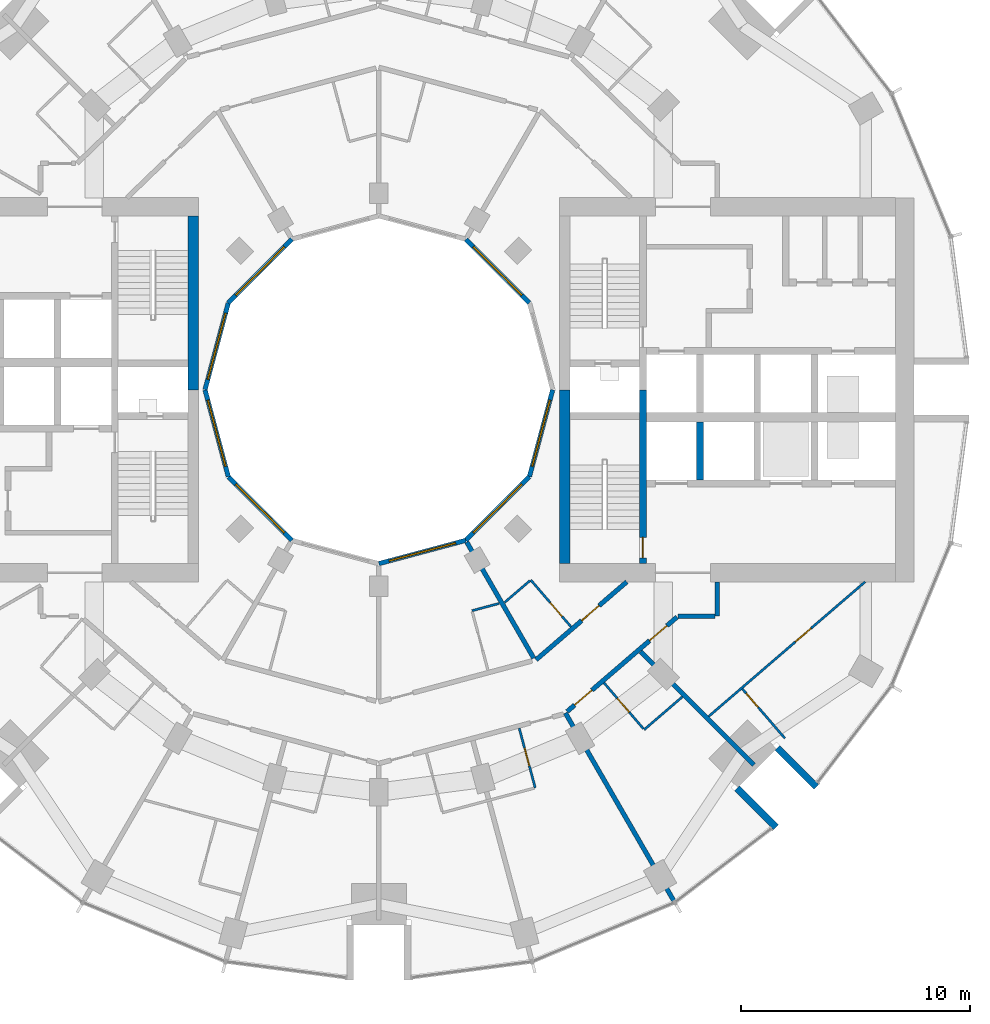
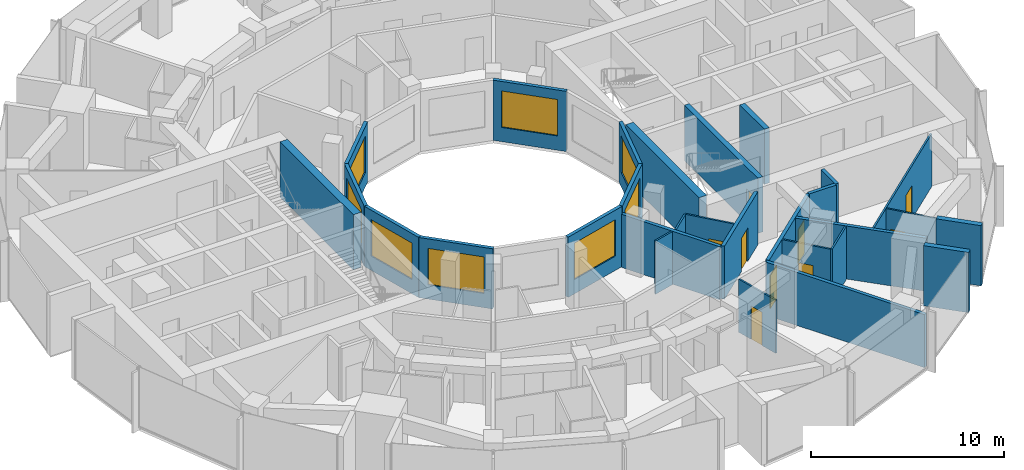
# One storey, part 10 of 15: 29 walls, 9 doors, 8 windows, 17 openings.
"""IFC4 building model written with IfcOpenShell, lengths in metres."""

from ifc_helpers import new_model, si_unit, direction, frame, frame_2d, origin, place, context, subcontext, project, spatial, rectangle, extrude, material, layer, layer_set, type_object, element, fill, save


model = new_model("IFC4")

# Units and contexts
model_context = context("Model", 3, precision=1e-05, world=origin(), true_north=direction((0.0, 1.0)))
body_context = subcontext(model_context, "Body", "Model", "MODEL_VIEW")
ifc_project = project(units=[si_unit("LENGTHUNIT", "METRE"), si_unit("AREAUNIT", "SQUARE_METRE"), si_unit("VOLUMEUNIT", "CUBIC_METRE"), si_unit("PLANEANGLEUNIT", "RADIAN"), si_unit("MASSUNIT", "GRAM", prefix="KILO")], contexts=[model_context])

# Site, building, storey
site_placement = place(None, origin())
site = spatial("IfcSite", under=ifc_project, at=site_placement, CompositionType="ELEMENT")
building_placement = place(site_placement, origin())
building = spatial("IfcBuilding", under=site, at=building_placement, Name="Torre Brocal", CompositionType="ELEMENT")
storey_placement = place(building_placement, frame((0.0, 0.0, 59.199951171875)))
storey = spatial("IfcBuildingStorey", under=building, at=storey_placement, Name="L13", CompositionType="ELEMENT", Elevation=59.199951171875)

# Wall, opening, door
ifc_material_1 = material(Name="Concrete C80", Category="concrete")
ifc_layer_1 = layer(ifc_material_1, 0.300048828125)
ifc_layer_set_1 = layer_set([ifc_layer_1], Name="Concrete C80")
wall_type_1 = type_object("IfcWallType", Name="CORE WALL 300 C80", PredefinedType="SHEAR", material=ifc_layer_set_1)
wall_1_placement = place(storey_placement, frame((91.550048828125, 67.39990234375, 0.0), z_axis=(0.0, 0.0, 1.0), x_axis=(0.0, 1.0, 0.0)))
wall_1 = element("IfcWall", 1, at=wall_1_placement, inside=storey, type_object=wall_type_1, Name="Wall CW300-80", PredefinedType="SHEAR", context=body_context, shape_type="SweptSolid", body=[
    extrude(rectangle(XDim=7.60009765625, YDim=0.300048828125, at=frame_2d((3.800048828125, 0.0))), origin(), (0.0, 0.0, 1.0), 3.47998046875),
])
opening_1_placement = place(wall_1_placement, frame((0.25, 0.0, 0.0)))
opening_1 = element("IfcOpeningElement", 2, at=opening_1_placement, cuts=wall_1, Name="Opening E-D03", PredefinedType="OPENING", context=body_context, shape_type="SweptSolid", body=[
    extrude(rectangle(XDim=0.89990234375, YDim=2.10009765625, at=frame_2d((0.449951171875, 1.050048828125))), frame((0.0, 0.159912109375, 0.0), z_axis=(0.0, -1.0, 0.0), x_axis=(1.0, 0.0, 0.0)), (0.0, 0.0, 1.0), 0.320068359375),
])
ifc_material_2 = material(Name="Steel A653", Category="steel")
door_type_1 = type_object("IfcDoorType", Name="STAIR DOOR FD120 900X2100", OperationType="SINGLE_SWING_RIGHT", PredefinedType="DOOR", material=ifc_material_2)
door_1_placement = place(opening_1_placement, origin())
door_1 = element("IfcDoor", 3, at=door_1_placement, inside=storey, type_object=door_type_1, Name="Door E-D03", OperationType="SINGLE_SWING_LEFT", OverallHeight=2.10009765625, OverallWidth=0.89990234375, PredefinedType="DOOR", context=body_context, shape_type="SweptSolid", body=[
    extrude(rectangle(XDim=0.89990234375, YDim=2.10009765625, at=frame_2d((0.449951171875, 1.050048828125))), frame((0.0, 0.02490234375, 0.0), z_axis=(0.0, -1.0, 0.0), x_axis=(1.0, 0.0, 0.0)), (0.0, 0.0, 1.0), 0.050048828125),
])
fill(opening_1, door_1)

# Walls
wall_2_placement = place(storey_placement, frame((94.050048828125, 71.050048828125, 0.0), z_axis=(0.0, 0.0, 1.0), x_axis=(0.0, 1.0, 0.0)))
element("IfcWall", 4, at=wall_2_placement, inside=storey, type_object=wall_type_1, Name="Wall CW300-80", PredefinedType="SHEAR", context=body_context, shape_type="SweptSolid", body=[
    extrude(rectangle(XDim=2.550048828125, YDim=0.300048828125, at=frame_2d((1.27490234375, 0.0))), origin(), (0.0, 0.0, 1.0), 3.47998046875),
])
ifc_material_3 = material(Name="Concrete C80", Category="concrete")
ifc_layer_2 = layer(ifc_material_3, 0.449951171875)
ifc_layer_set_2 = layer_set([ifc_layer_2], Name="Concrete C80")
wall_type_2 = type_object("IfcWallType", Name="CORE WALL 450 C80", PredefinedType="SHEAR", material=ifc_layer_set_2)
for number, where, z_axis, x_axis, name in (
    (5, (88.125, 67.39990234375, 0.0), (0.0, 0.0, 1.0), (0.0, 1.0, 0.0), "Wall CW450-80"),
    (6, (71.875, 82.60009765625, 0.0), (0.0, 0.0, 1.0), (0.0, -1.0, 0.0), "Wall CW450-80"),
):
    element("IfcWall", number, at=place(storey_placement, frame(where, z_axis=z_axis, x_axis=x_axis)), inside=storey, type_object=wall_type_2, Name=name, PredefinedType="SHEAR", context=body_context, shape_type="SweptSolid", body=[
        extrude(rectangle(XDim=7.60009765625, YDim=0.449951171875, at=frame_2d((3.800048828125, 0.0))), origin(), (0.0, 0.0, 1.0), 3.47998046875),
    ])
ifc_material_4 = material(Name="Concrete C80", Category="concrete")
ifc_layer_3 = layer(ifc_material_4, 0.300048828125)
ifc_layer_set_3 = layer_set([ifc_layer_3], Name="Concrete C80")
wall_type_3 = type_object("IfcWallType", Name="NOTCH RETURN WALL 300 C80", PredefinedType="NOTDEFINED", material=ifc_layer_set_3)
for number, where, z_axis, x_axis, name in (
    (7, (95.662353515625, 57.56982421875, 0.0), (0.0, 0.0, 1.0), (0.707106781187, -0.707106781187, 0.0), "NOTCH RETURN WALL"),
    (8, (97.43017578125, 59.337646484375, 0.0), (0.0, 0.0, 1.0), (0.707106781187, -0.707106781187, 0.0), "NOTCH RETURN WALL"),
):
    element("IfcWall", number, at=place(storey_placement, frame(where, z_axis=z_axis, x_axis=x_axis)), inside=storey, type_object=wall_type_3, Name=name, PredefinedType="NOTDEFINED", context=body_context, shape_type="SweptSolid", body=[
        extrude(rectangle(XDim=2.415771484375, YDim=0.300048828125, at=frame_2d((1.2080078125, 0.0))), origin(), (0.0, 0.0, 1.0), 3.800048828125),
    ])
ifc_material_5 = material(Name="Gypsum board", Category="Gypsum")
ifc_layer_4 = layer(ifc_material_5, 0.10009765625)
ifc_layer_set_4 = layer_set([ifc_layer_4], Name="Gypsum board")
wall_type_4 = type_object("IfcWallType", Name="PARTITION 100", PredefinedType="PARTITIONING", material=ifc_layer_set_4)
wall_3_placement = place(storey_placement, frame((84.073974609375, 65.3369140625, 0.0), z_axis=(0.0, 0.0, 1.0), x_axis=(0.965914351064, 0.258861867428, 0.0)))
element("IfcWall", 9, at=wall_3_placement, inside=storey, type_object=wall_type_4, Name="BATHROOM WALL", PredefinedType="PARTITIONING", context=body_context, shape_type="SweptSolid", body=[
    extrude(rectangle(XDim=1.22900390625, YDim=0.10009765625, at=frame_2d((0.614501953125, 0.0))), origin(), (0.0, 0.0, 1.0), 3.35009765625),
])
wall_4_placement = place(storey_placement, frame((85.497314453125, 65.69580078125, 0.0), z_axis=(0.0, 0.0, 1.0), x_axis=(0.75817032582, 0.652056559698, 0.0)))
element("IfcWall", 10, at=wall_4_placement, inside=storey, type_object=wall_type_4, Name="BATHROOM WALL", PredefinedType="PARTITIONING", context=body_context, shape_type="SweptSolid", body=[
    extrude(rectangle(XDim=1.4609375, YDim=0.10009765625, at=frame_2d((0.73046875, 0.0))), origin(), (0.0, 0.0, 1.0), 3.35009765625),
])

# Wall, opening, door
wall_5_placement = place(storey_placement, frame((86.139892578125, 60.196044921875, 0.0), z_axis=(0.0, 0.0, 1.0), x_axis=(0.258945475746, -0.965891940432, 0.0)))
wall_5 = element("IfcWall", 11, at=wall_5_placement, inside=storey, type_object=wall_type_4, Name="BATHROOM WALL", PredefinedType="PARTITIONING", context=body_context, shape_type="SweptSolid", body=[
    extrude(rectangle(XDim=2.7001953125, YDim=0.10009765625, at=frame_2d((1.35009765625, 0.0))), origin(), (0.0, 0.0, 1.0), 3.35009765625),
])
opening_2_placement = place(wall_5_placement, frame((0.89990234375, 0.0, 0.0)))
opening_2 = element("IfcOpeningElement", 12, at=opening_2_placement, cuts=wall_5, Name="Opening H03-D26", PredefinedType="OPENING", context=body_context, shape_type="SweptSolid", body=[
    extrude(rectangle(XDim=0.800048828125, YDim=2.10009765625, at=frame_2d((0.39990234375, 1.050048828125))), frame((0.0, 0.06005859375, 0.0), z_axis=(0.0, -1.0, 0.0), x_axis=(1.0, 0.0, 0.0)), (0.0, 0.0, 1.0), 0.1201171875),
])
ifc_material_6 = material(Name="Timber", Category="wood")
door_type_2 = type_object("IfcDoorType", Name="BATHROOM DOOR 800X2100", OperationType="SINGLE_SWING_LEFT", PredefinedType="DOOR", material=ifc_material_6)
door_2_placement = place(opening_2_placement, frame((0.800048828125, 0.0, 0.0), z_axis=(0.0, 0.0, 1.0), x_axis=(-1.0, 0.0, 0.0)))
door_2 = element("IfcDoor", 13, at=door_2_placement, inside=storey, type_object=door_type_2, Name="H03-D26", OperationType="SINGLE_SWING_RIGHT", OverallHeight=2.10009765625, OverallWidth=0.800048828125, PredefinedType="DOOR", context=body_context, shape_type="SweptSolid", body=[
    extrude(rectangle(XDim=0.800048828125, YDim=2.10009765625, at=frame_2d((0.39990234375, 1.050048828125))), frame((0.0, 0.02490234375, 0.0), z_axis=(0.0, -1.0, 0.0), x_axis=(1.0, 0.0, 0.0)), (0.0, 0.0, 1.0), 0.050048828125),
])
fill(opening_2, door_2)

wall_6_placement = place(storey_placement, frame((86.64306640625, 66.680908203125, 0.0), z_axis=(0.0, 0.0, 1.0), x_axis=(0.652264876065, -0.757991115682, 0.0)))
wall_6 = element("IfcWall", 14, at=wall_6_placement, inside=storey, type_object=wall_type_4, Name="BATHROOM WALL", PredefinedType="PARTITIONING", context=body_context, shape_type="SweptSolid", body=[
    extrude(rectangle(XDim=2.699462890625, YDim=0.10009765625, at=frame_2d((1.349609375, 0.0))), origin(), (0.0, 0.0, 1.0), 3.35009765625),
])
opening_3_placement = place(wall_6_placement, frame((1.2998046875, 0.0, 0.0)))
opening_3 = element("IfcOpeningElement", 15, at=opening_3_placement, cuts=wall_6, Name="Opening H03-D40", PredefinedType="OPENING", context=body_context, shape_type="SweptSolid", body=[
    extrude(rectangle(XDim=0.800048828125, YDim=2.10009765625, at=frame_2d((0.39990234375, 1.050048828125))), frame((0.0, 0.06005859375, 0.0), z_axis=(0.0, -1.0, 0.0), x_axis=(1.0, 0.0, 0.0)), (0.0, 0.0, 1.0), 0.1201171875),
])
door_3_placement = place(opening_3_placement, frame((0.800048828125, 0.0, 0.0), z_axis=(0.0, 0.0, 1.0), x_axis=(-1.0, 0.0, 0.0)))
door_3 = element("IfcDoor", 16, at=door_3_placement, inside=storey, type_object=door_type_2, Name="H03-D40", OperationType="SINGLE_SWING_LEFT", OverallHeight=2.10009765625, OverallWidth=0.800048828125, PredefinedType="DOOR", context=body_context, shape_type="SweptSolid", body=[
    extrude(rectangle(XDim=0.800048828125, YDim=2.10009765625, at=frame_2d((0.39990234375, 1.050048828125))), frame((0.0, 0.02490234375, 0.0), z_axis=(0.0, -1.0, 0.0), x_axis=(1.0, 0.0, 0.0)), (0.0, 0.0, 1.0), 0.050048828125),
])
fill(opening_3, door_3)

wall_7_placement = place(storey_placement, frame((89.846435546875, 62.181884765625, 0.0), z_axis=(0.0, 0.0, 1.0), x_axis=(0.652095405055, -0.758136915541, 0.0)))
wall_7 = element("IfcWall", 17, at=wall_7_placement, inside=storey, type_object=wall_type_4, Name="BATHROOM WALL", PredefinedType="PARTITIONING", context=body_context, shape_type="SweptSolid", body=[
    extrude(rectangle(XDim=2.64990234375, YDim=0.10009765625, at=frame_2d((1.324951171875, 0.0))), origin(), (0.0, 0.0, 1.0), 3.35009765625),
])
opening_4_placement = place(wall_7_placement, frame((0.899658203125, 0.0, 0.0)))
opening_4 = element("IfcOpeningElement", 18, at=opening_4_placement, cuts=wall_7, Name="Opening H03-D24", PredefinedType="OPENING", context=body_context, shape_type="SweptSolid", body=[
    extrude(rectangle(XDim=0.800048828125, YDim=2.10009765625, at=frame_2d((0.39990234375, 1.050048828125))), frame((0.0, 0.06005859375, 0.0), z_axis=(0.0, -1.0, 0.0), x_axis=(1.0, 0.0, 0.0)), (0.0, 0.0, 1.0), 0.1201171875),
])
door_4_placement = place(opening_4_placement, origin())
door_4 = element("IfcDoor", 19, at=door_4_placement, inside=storey, type_object=door_type_2, Name="H03-D24", OperationType="SINGLE_SWING_LEFT", OverallHeight=2.10009765625, OverallWidth=0.800048828125, PredefinedType="DOOR", context=body_context, shape_type="SweptSolid", body=[
    extrude(rectangle(XDim=0.800048828125, YDim=2.10009765625, at=frame_2d((0.39990234375, 1.050048828125))), frame((0.0, 0.02490234375, 0.0), z_axis=(0.0, -1.0, 0.0), x_axis=(1.0, 0.0, 0.0)), (0.0, 0.0, 1.0), 0.050048828125),
])
fill(opening_4, door_4)

# Wall
wall_8_placement = place(storey_placement, frame((91.60693359375, 60.135009765625, 0.0), z_axis=(0.0, 0.0, 1.0), x_axis=(0.758135842672, 0.652096652388, 0.0)))
element("IfcWall", 20, at=wall_8_placement, inside=storey, type_object=wall_type_4, Name="BATHROOM WALL", PredefinedType="PARTITIONING", context=body_context, shape_type="SweptSolid", body=[
    extrude(rectangle(XDim=2.201171875, YDim=0.10009765625, at=frame_2d((1.1005859375, 0.0))), origin(), (0.0, 0.0, 1.0), 3.35009765625),
])

# Wall, opening, door
wall_9_placement = place(storey_placement, frame((94.427734375, 60.715087890625, 0.0), z_axis=(0.0, 0.0, 1.0), x_axis=(0.758117248367, 0.65211826974, 0.0)))
wall_9 = element("IfcWall", 21, at=wall_9_placement, inside=storey, type_object=wall_type_4, Name="BATHROOM WALL", PredefinedType="PARTITIONING", context=body_context, shape_type="SweptSolid", body=[
    extrude(rectangle(XDim=9.024169921875, YDim=0.10009765625, at=frame_2d((4.51220703125, 0.0))), origin(), (0.0, 0.0, 1.0), 3.35009765625),
])
opening_5_placement = place(wall_9_placement, frame((5.001953125, 0.0, 0.0)))
opening_5 = element("IfcOpeningElement", 22, at=opening_5_placement, cuts=wall_9, Name="Opening H03-D21", PredefinedType="OPENING", context=body_context, shape_type="SweptSolid", body=[
    extrude(rectangle(XDim=0.89990234375, YDim=2.10009765625, at=frame_2d((0.449951171875, 1.050048828125))), frame((0.0, 0.06005859375, 0.0), z_axis=(0.0, -1.0, 0.0), x_axis=(1.0, 0.0, 0.0)), (0.0, 0.0, 1.0), 0.1201171875),
])
ifc_material_7 = material(Name="Timber", Category="wood")
door_type_3 = type_object("IfcDoorType", Name="ROOM DOOR 900X2100", OperationType="SINGLE_SWING_LEFT", PredefinedType="DOOR", material=ifc_material_7)
door_5_placement = place(opening_5_placement, origin())
door_5 = element("IfcDoor", 23, at=door_5_placement, inside=storey, type_object=door_type_3, Name="H03-D21", OperationType="SINGLE_SWING_RIGHT", OverallHeight=2.10009765625, OverallWidth=0.89990234375, PredefinedType="DOOR", context=body_context, shape_type="SweptSolid", body=[
    extrude(rectangle(XDim=0.89990234375, YDim=2.10009765625, at=frame_2d((0.449951171875, 1.050048828125))), frame((0.0, 0.02490234375, 0.0), z_axis=(0.0, -1.0, 0.0), x_axis=(1.0, 0.0, 0.0)), (0.0, 0.0, 1.0), 0.050048828125),
])
fill(opening_5, door_5)

wall_10_placement = place(storey_placement, frame((95.900634765625, 61.916015625, 0.0), z_axis=(0.0, 0.0, 1.0), x_axis=(0.652215581117, -0.758033532074, 0.0)))
wall_10 = element("IfcWall", 24, at=wall_10_placement, inside=storey, type_object=wall_type_4, Name="BATHROOM WALL", PredefinedType="PARTITIONING", context=body_context, shape_type="SweptSolid", body=[
    extrude(rectangle(XDim=2.849365234375, YDim=0.10009765625, at=frame_2d((1.4248046875, 0.0))), origin(), (0.0, 0.0, 1.0), 3.35009765625),
])
opening_6_placement = place(wall_10_placement, frame((0.249755859375, 0.0, 0.0)))
opening_6 = element("IfcOpeningElement", 25, at=opening_6_placement, cuts=wall_10, Name="Opening H03-D22", PredefinedType="OPENING", context=body_context, shape_type="SweptSolid", body=[
    extrude(rectangle(XDim=0.800048828125, YDim=2.10009765625, at=frame_2d((0.39990234375, 1.050048828125))), frame((0.0, 0.06005859375, 0.0), z_axis=(0.0, -1.0, 0.0), x_axis=(1.0, 0.0, 0.0)), (0.0, 0.0, 1.0), 0.1201171875),
])
door_6_placement = place(opening_6_placement, frame((0.800048828125, 0.0, 0.0), z_axis=(0.0, 0.0, 1.0), x_axis=(-1.0, 0.0, 0.0)))
door_6 = element("IfcDoor", 26, at=door_6_placement, inside=storey, type_object=door_type_2, Name="H03-D22", OperationType="SINGLE_SWING_RIGHT", OverallHeight=2.10009765625, OverallWidth=0.800048828125, PredefinedType="DOOR", context=body_context, shape_type="SweptSolid", body=[
    extrude(rectangle(XDim=0.800048828125, YDim=2.10009765625, at=frame_2d((0.39990234375, 1.050048828125))), frame((0.0, 0.02490234375, 0.0), z_axis=(0.0, -1.0, 0.0), x_axis=(1.0, 0.0, 0.0)), (0.0, 0.0, 1.0), 0.050048828125),
])
fill(opening_6, door_6)

# Wall
ifc_material_8 = material(Name="Gypsum board", Category="Gypsum")
ifc_layer_5 = layer(ifc_material_8, 0.199951171875)
ifc_layer_set_5 = layer_set([ifc_layer_5], Name="Gypsum board")
wall_type_5 = type_object("IfcWallType", Name="PARTITION 200 EI60", PredefinedType="PARTITIONING", material=ifc_layer_set_5)
wall_11_placement = place(storey_placement, frame((83.84765625, 68.332275390625, 0.0), z_axis=(0.0, 0.0, 1.0), x_axis=(0.499901724708, -0.866082135617, 0.0)))
element("IfcWall", 27, at=wall_11_placement, inside=storey, type_object=wall_type_5, Name="BATHROOM WALL", PredefinedType="PARTITIONING", context=body_context, shape_type="SweptSolid", body=[
    extrude(rectangle(XDim=5.855224609375, YDim=0.199951171875, at=frame_2d((2.927734375, 0.0))), origin(), (0.0, 0.0, 1.0), 3.35009765625),
])

# Wall, opening, door
wall_12_placement = place(storey_placement, frame((86.876953125, 63.189208984375, 0.0), z_axis=(0.0, 0.0, 1.0), x_axis=(0.758164888471, 0.652062881853, 0.0)))
wall_12 = element("IfcWall", 28, at=wall_12_placement, inside=storey, type_object=wall_type_5, Name="GUESTROOM CORRIDOR WALL", PredefinedType="PARTITIONING", context=body_context, shape_type="SweptSolid", body=[
    extrude(rectangle(XDim=5.230224609375, YDim=0.199951171875, at=frame_2d((2.615234375, 0.0))), origin(), (0.0, 0.0, 1.0), 3.35009765625),
])
opening_7_placement = place(wall_12_placement, frame((2.63037109375, 0.0, 0.0)))
opening_7 = element("IfcOpeningElement", 29, at=opening_7_placement, cuts=wall_12, Name="Opening H03-D39", PredefinedType="OPENING", context=body_context, shape_type="SweptSolid", body=[
    extrude(rectangle(XDim=1.0, YDim=2.10009765625, at=frame_2d((0.5, 1.050048828125))), frame((0.0, 0.10986328125, 0.0), z_axis=(0.0, -1.0, 0.0), x_axis=(1.0, 0.0, 0.0)), (0.0, 0.0, 1.0), 0.219970703125),
])
ifc_material_9 = material(Name="Timber", Category="wood")
door_type_4 = type_object("IfcDoorType", Name="FLAT ENTRY DOOR FD30S 1000X2100", OperationType="SINGLE_SWING_RIGHT", PredefinedType="DOOR", material=ifc_material_9)
door_7_placement = place(opening_7_placement, origin())
door_7 = element("IfcDoor", 30, at=door_7_placement, inside=storey, type_object=door_type_4, Name="H03-D39", OperationType="SINGLE_SWING_LEFT", OverallHeight=2.10009765625, OverallWidth=1.0, PredefinedType="DOOR", context=body_context, shape_type="SweptSolid", body=[
    extrude(rectangle(XDim=1.0, YDim=2.10009765625, at=frame_2d((0.5, 1.050048828125))), frame((0.0, 0.02490234375, 0.0), z_axis=(0.0, -1.0, 0.0), x_axis=(1.0, 0.0, 0.0)), (0.0, 0.0, 1.0), 0.050048828125),
])
fill(opening_7, door_7)

# Wall, openings, doors
wall_13_placement = place(storey_placement, frame((88.236328125, 60.92919921875, 0.0), z_axis=(0.0, 0.0, 1.0), x_axis=(0.758227485202, 0.651990092474, 0.0)))
wall_13 = element("IfcWall", 31, at=wall_13_placement, inside=storey, type_object=wall_type_5, Name="FLAT ENTRANCE WALL", PredefinedType="PARTITIONING", context=body_context, shape_type="SweptSolid", body=[
    extrude(rectangle(XDim=6.335693359375, YDim=0.199951171875, at=frame_2d((3.16796875, 0.0))), origin(), (0.0, 0.0, 1.0), 3.35009765625),
])
opening_8_placement = place(wall_13_placement, frame((4.7568359375, 0.0, 0.0)))
opening_8 = element("IfcOpeningElement", 32, at=opening_8_placement, cuts=wall_13, Name="Opening H03-D20", PredefinedType="OPENING", context=body_context, shape_type="SweptSolid", body=[
    extrude(rectangle(XDim=1.0, YDim=2.10009765625, at=frame_2d((0.5, 1.050048828125))), frame((0.0, 0.10986328125, 0.0), z_axis=(0.0, -1.0, 0.0), x_axis=(1.0, 0.0, 0.0)), (0.0, 0.0, 1.0), 0.219970703125),
])
opening_9_placement = place(wall_13_placement, frame((0.430419921875, 0.0, 0.0)))
opening_9 = element("IfcOpeningElement", 33, at=opening_9_placement, cuts=wall_13, Name="Opening H03-D23", PredefinedType="OPENING", context=body_context, shape_type="SweptSolid", body=[
    extrude(rectangle(XDim=1.0, YDim=2.10009765625, at=frame_2d((0.5, 1.050048828125))), frame((0.0, 0.10986328125, 0.0), z_axis=(0.0, -1.0, 0.0), x_axis=(1.0, 0.0, 0.0)), (0.0, 0.0, 1.0), 0.219970703125),
])
door_8_placement = place(opening_8_placement, frame((1.0, 0.0, 0.0), z_axis=(0.0, 0.0, 1.0), x_axis=(-1.0, 0.0, 0.0)))
door_8 = element("IfcDoor", 34, at=door_8_placement, inside=storey, type_object=door_type_4, Name="H03-D20", OperationType="SINGLE_SWING_RIGHT", OverallHeight=2.10009765625, OverallWidth=1.0, PredefinedType="DOOR", context=body_context, shape_type="SweptSolid", body=[
    extrude(rectangle(XDim=1.0, YDim=2.10009765625, at=frame_2d((0.5, 1.050048828125))), frame((0.0, 0.02490234375, 0.0), z_axis=(0.0, -1.0, 0.0), x_axis=(1.0, 0.0, 0.0)), (0.0, 0.0, 1.0), 0.050048828125),
])
fill(opening_8, door_8)
door_9_placement = place(opening_9_placement, frame((1.0, 0.0, 0.0), z_axis=(0.0, 0.0, 1.0), x_axis=(-1.0, 0.0, 0.0)))
door_9 = element("IfcDoor", 35, at=door_9_placement, inside=storey, type_object=door_type_4, Name="H03-D23", OperationType="SINGLE_SWING_RIGHT", OverallHeight=2.10009765625, OverallWidth=1.0, PredefinedType="DOOR", context=body_context, shape_type="SweptSolid", body=[
    extrude(rectangle(XDim=1.0, YDim=2.10009765625, at=frame_2d((0.5, 1.050048828125))), frame((0.0, 0.02490234375, 0.0), z_axis=(0.0, -1.0, 0.0), x_axis=(1.0, 0.0, 0.0)), (0.0, 0.0, 1.0), 0.050048828125),
])
fill(opening_9, door_9)

# Walls
wall_14_placement = place(storey_placement, frame((88.1591796875, 60.86279296875, 0.0), z_axis=(0.0, 0.0, 1.0), x_axis=(0.499886028459, -0.866091195286, 0.0)))
element("IfcWall", 36, at=wall_14_placement, inside=storey, type_object=wall_type_5, Name="PARTY PARTITION", PredefinedType="PARTITIONING", context=body_context, shape_type="SweptSolid", body=[
    extrude(rectangle(XDim=9.474853515625, YDim=0.199951171875, at=frame_2d((4.7373046875, 0.0))), origin(), (0.0, 0.0, 1.0), 3.35009765625),
])
wall_15_placement = place(storey_placement, frame((91.44921875, 63.5478515625, 0.0), z_axis=(0.0, 0.0, 1.0), x_axis=(0.706984810649, -0.707228730688, 0.0)))
element("IfcWall", 37, at=wall_15_placement, inside=storey, type_object=wall_type_5, Name="BATHROOM WALL", PredefinedType="PARTITIONING", context=body_context, shape_type="SweptSolid", body=[
    extrude(rectangle(XDim=7.00634765625, YDim=0.199951171875, at=frame_2d((3.503173828125, 0.0))), origin(), (0.0, 0.0, 1.0), 3.35009765625),
])
wall_16_placement = place(storey_placement, frame((93.0849609375, 65.10009765625, 0.0), z_axis=(0.0, 0.0, 1.0), x_axis=(1.0, 0.0, 0.0)))
element("IfcWall", 38, at=wall_16_placement, inside=storey, type_object=wall_type_5, Name="FLAT ENTRANCE WALL", PredefinedType="PARTITIONING", context=body_context, shape_type="SweptSolid", body=[
    extrude(rectangle(XDim=1.614990234375, YDim=0.199951171875, at=frame_2d((0.8076171875, 0.0))), origin(), (0.0, 0.0, 1.0), 3.35009765625),
])
wall_17_placement = place(storey_placement, frame((94.800048828125, 65.10009765625, 0.0), z_axis=(0.0, 0.0, 1.0), x_axis=(0.0, 1.0, 0.0)))
element("IfcWall", 39, at=wall_17_placement, inside=storey, type_object=wall_type_5, Name="FLAT ENTRANCE WALL", PredefinedType="PARTITIONING", context=body_context, shape_type="SweptSolid", body=[
    extrude(rectangle(XDim=1.4990234375, YDim=0.199951171875, at=frame_2d((0.74951171875, 0.0))), origin(), (0.0, 0.0, 1.0), 3.35009765625),
])

# Wall, opening, window
ifc_material_10 = material(Name="Concrete C40", Category="concrete")
ifc_layer_6 = layer(ifc_material_10, 0.199951171875)
ifc_layer_set_6 = layer_set([ifc_layer_6], Name="Concrete C40")
wall_type_6 = type_object("IfcWallType", Name="WELL FACADE WALL 200", PredefinedType="NOTDEFINED", material=ifc_layer_set_6)
wall_18_placement = place(storey_placement, frame((86.5849609375, 78.8017578125, 0.0), z_axis=(0.0, 0.0, 1.0), x_axis=(-0.707106781187, 0.707106781187, 0.0)))
wall_18 = element("IfcWall", 40, at=wall_18_placement, inside=storey, type_object=wall_type_6, Name="WELL FACADE WALL", PredefinedType="NOTDEFINED", context=body_context, shape_type="SweptSolid", body=[
    extrude(rectangle(XDim=3.93603515625, YDim=0.199951171875, at=frame_2d((1.968017578125, 0.0))), origin(), (0.0, 0.0, 1.0), 3.800048828125),
])
opening_10_placement = place(wall_18_placement, frame((0.468017578125, 0.0, 0.89990234375)))
opening_10 = element("IfcOpeningElement", 41, at=opening_10_placement, cuts=wall_18, Name="Opening W1", PredefinedType="OPENING", context=body_context, shape_type="SweptSolid", body=[
    extrude(rectangle(XDim=3.0, YDim=2.300048828125, at=frame_2d((1.5, 1.14990234375))), frame((0.0, 0.10986328125, 0.0), z_axis=(0.0, -1.0, 0.0), x_axis=(1.0, 0.0, 0.0)), (0.0, 0.0, 1.0), 0.219970703125),
])
ifc_material_11 = material(Name="Aluminium and glass", Category="aluminium")
window_type = type_object("IfcWindowType", Name="WELL WINDOW 3000X2300", PartitioningType="SINGLE_PANEL", PredefinedType="WINDOW", material=ifc_material_11)
window_1_placement = place(opening_10_placement, origin())
window_1 = element("IfcWindow", 42, at=window_1_placement, inside=storey, type_object=window_type, Name="WELL WINDOW 3000X2300", OverallHeight=2.300048828125, OverallWidth=3.0, PartitioningType="SINGLE_PANEL", PredefinedType="WINDOW", context=body_context, shape_type="SweptSolid", body=[
    extrude(rectangle(XDim=3.0, YDim=2.300048828125, at=frame_2d((1.5, 1.14990234375))), frame((0.0, 0.030029296875, 0.0), z_axis=(0.0, -1.0, 0.0), x_axis=(1.0, 0.0, 0.0)), (0.0, 0.0, 1.0), 0.06005859375),
])
fill(opening_10, window_1)

wall_19_placement = place(storey_placement, frame((76.1982421875, 81.5849609375, 0.0), z_axis=(0.0, 0.0, 1.0), x_axis=(-0.707106781187, -0.707106781187, 0.0)))
wall_19 = element("IfcWall", 43, at=wall_19_placement, inside=storey, type_object=wall_type_6, Name="WELL FACADE WALL", PredefinedType="NOTDEFINED", context=body_context, shape_type="SweptSolid", body=[
    extrude(rectangle(XDim=3.93603515625, YDim=0.199951171875, at=frame_2d((1.968017578125, 0.0))), origin(), (0.0, 0.0, 1.0), 3.800048828125),
])
opening_11_placement = place(wall_19_placement, frame((0.468017578125, 0.0, 0.89990234375)))
opening_11 = element("IfcOpeningElement", 44, at=opening_11_placement, cuts=wall_19, Name="Opening W1", PredefinedType="OPENING", context=body_context, shape_type="SweptSolid", body=[
    extrude(rectangle(XDim=3.0, YDim=2.300048828125, at=frame_2d((1.5, 1.14990234375))), frame((0.0, 0.10986328125, 0.0), z_axis=(0.0, -1.0, 0.0), x_axis=(1.0, 0.0, 0.0)), (0.0, 0.0, 1.0), 0.219970703125),
])
window_2_placement = place(opening_11_placement, origin())
window_2 = element("IfcWindow", 45, at=window_2_placement, inside=storey, type_object=window_type, Name="WELL WINDOW 3000X2300", OverallHeight=2.300048828125, OverallWidth=3.0, PartitioningType="SINGLE_PANEL", PredefinedType="WINDOW", context=body_context, shape_type="SweptSolid", body=[
    extrude(rectangle(XDim=3.0, YDim=2.300048828125, at=frame_2d((1.5, 1.14990234375))), frame((0.0, 0.030029296875, 0.0), z_axis=(0.0, -1.0, 0.0), x_axis=(1.0, 0.0, 0.0)), (0.0, 0.0, 1.0), 0.06005859375),
])
fill(opening_11, window_2)

wall_20_placement = place(storey_placement, frame((73.4150390625, 78.8017578125, 0.0), z_axis=(0.0, 0.0, 1.0), x_axis=(-0.258789828301, -0.965933654434, 0.0)))
wall_20 = element("IfcWall", 46, at=wall_20_placement, inside=storey, type_object=wall_type_6, Name="WELL FACADE WALL", PredefinedType="NOTDEFINED", context=body_context, shape_type="SweptSolid", body=[
    extrude(rectangle(XDim=3.935791015625, YDim=0.199951171875, at=frame_2d((1.9677734375, 0.0))), origin(), (0.0, 0.0, 1.0), 3.800048828125),
])
opening_12_placement = place(wall_20_placement, frame((0.468017578125, 0.0, 0.89990234375)))
opening_12 = element("IfcOpeningElement", 47, at=opening_12_placement, cuts=wall_20, Name="Opening W1", PredefinedType="OPENING", context=body_context, shape_type="SweptSolid", body=[
    extrude(rectangle(XDim=3.0, YDim=2.300048828125, at=frame_2d((1.5, 1.14990234375))), frame((0.0, 0.10986328125, 0.0), z_axis=(0.0, -1.0, 0.0), x_axis=(1.0, 0.0, 0.0)), (0.0, 0.0, 1.0), 0.219970703125),
])
window_3_placement = place(opening_12_placement, origin())
window_3 = element("IfcWindow", 48, at=window_3_placement, inside=storey, type_object=window_type, Name="WELL WINDOW 3000X2300", OverallHeight=2.300048828125, OverallWidth=3.0, PartitioningType="SINGLE_PANEL", PredefinedType="WINDOW", context=body_context, shape_type="SweptSolid", body=[
    extrude(rectangle(XDim=3.0, YDim=2.300048828125, at=frame_2d((1.5, 1.14990234375))), frame((0.0, 0.030029296875, 0.0), z_axis=(0.0, -1.0, 0.0), x_axis=(1.0, 0.0, 0.0)), (0.0, 0.0, 1.0), 0.06005859375),
])
fill(opening_12, window_3)

wall_21_placement = place(storey_placement, frame((72.396484375, 75.0, 0.0), z_axis=(0.0, 0.0, 1.0), x_axis=(0.258789828301, -0.965933654434, 0.0)))
wall_21 = element("IfcWall", 49, at=wall_21_placement, inside=storey, type_object=wall_type_6, Name="WELL FACADE WALL", PredefinedType="NOTDEFINED", context=body_context, shape_type="SweptSolid", body=[
    extrude(rectangle(XDim=3.935791015625, YDim=0.199951171875, at=frame_2d((1.9677734375, 0.0))), origin(), (0.0, 0.0, 1.0), 3.800048828125),
])
opening_13_placement = place(wall_21_placement, frame((0.468017578125, 0.0, 0.89990234375)))
opening_13 = element("IfcOpeningElement", 50, at=opening_13_placement, cuts=wall_21, Name="Opening W1", PredefinedType="OPENING", context=body_context, shape_type="SweptSolid", body=[
    extrude(rectangle(XDim=3.0, YDim=2.300048828125, at=frame_2d((1.5, 1.14990234375))), frame((0.0, 0.10986328125, 0.0), z_axis=(0.0, -1.0, 0.0), x_axis=(1.0, 0.0, 0.0)), (0.0, 0.0, 1.0), 0.219970703125),
])
window_4_placement = place(opening_13_placement, origin())
window_4 = element("IfcWindow", 51, at=window_4_placement, inside=storey, type_object=window_type, Name="WELL WINDOW 3000X2300", OverallHeight=2.300048828125, OverallWidth=3.0, PartitioningType="SINGLE_PANEL", PredefinedType="WINDOW", context=body_context, shape_type="SweptSolid", body=[
    extrude(rectangle(XDim=3.0, YDim=2.300048828125, at=frame_2d((1.5, 1.14990234375))), frame((0.0, 0.030029296875, 0.0), z_axis=(0.0, -1.0, 0.0), x_axis=(1.0, 0.0, 0.0)), (0.0, 0.0, 1.0), 0.06005859375),
])
fill(opening_13, window_4)

wall_22_placement = place(storey_placement, frame((73.4150390625, 71.1982421875, 0.0), z_axis=(0.0, 0.0, 1.0), x_axis=(0.707106781187, -0.707106781187, 0.0)))
wall_22 = element("IfcWall", 52, at=wall_22_placement, inside=storey, type_object=wall_type_6, Name="WELL FACADE WALL", PredefinedType="NOTDEFINED", context=body_context, shape_type="SweptSolid", body=[
    extrude(rectangle(XDim=3.93603515625, YDim=0.199951171875, at=frame_2d((1.968017578125, 0.0))), origin(), (0.0, 0.0, 1.0), 3.800048828125),
])
opening_14_placement = place(wall_22_placement, frame((0.468017578125, 0.0, 0.89990234375)))
opening_14 = element("IfcOpeningElement", 53, at=opening_14_placement, cuts=wall_22, Name="Opening W1", PredefinedType="OPENING", context=body_context, shape_type="SweptSolid", body=[
    extrude(rectangle(XDim=3.0, YDim=2.300048828125, at=frame_2d((1.5, 1.14990234375))), frame((0.0, 0.10986328125, 0.0), z_axis=(0.0, -1.0, 0.0), x_axis=(1.0, 0.0, 0.0)), (0.0, 0.0, 1.0), 0.219970703125),
])
window_5_placement = place(opening_14_placement, origin())
window_5 = element("IfcWindow", 54, at=window_5_placement, inside=storey, type_object=window_type, Name="WELL WINDOW 3000X2300", OverallHeight=2.300048828125, OverallWidth=3.0, PartitioningType="SINGLE_PANEL", PredefinedType="WINDOW", context=body_context, shape_type="SweptSolid", body=[
    extrude(rectangle(XDim=3.0, YDim=2.300048828125, at=frame_2d((1.5, 1.14990234375))), frame((0.0, 0.030029296875, 0.0), z_axis=(0.0, -1.0, 0.0), x_axis=(1.0, 0.0, 0.0)), (0.0, 0.0, 1.0), 0.06005859375),
])
fill(opening_14, window_5)

wall_23_placement = place(storey_placement, frame((80.0, 67.396484375, 0.0), z_axis=(0.0, 0.0, 1.0), x_axis=(0.965933654434, 0.258789828301, 0.0)))
wall_23 = element("IfcWall", 55, at=wall_23_placement, inside=storey, type_object=wall_type_6, Name="WELL FACADE WALL", PredefinedType="NOTDEFINED", context=body_context, shape_type="SweptSolid", body=[
    extrude(rectangle(XDim=3.935791015625, YDim=0.199951171875, at=frame_2d((1.9677734375, 0.0))), origin(), (0.0, 0.0, 1.0), 3.800048828125),
])
opening_15_placement = place(wall_23_placement, frame((0.468017578125, 0.0, 0.89990234375)))
opening_15 = element("IfcOpeningElement", 56, at=opening_15_placement, cuts=wall_23, Name="Opening W1", PredefinedType="OPENING", context=body_context, shape_type="SweptSolid", body=[
    extrude(rectangle(XDim=3.0, YDim=2.300048828125, at=frame_2d((1.5, 1.14990234375))), frame((0.0, 0.10986328125, 0.0), z_axis=(0.0, -1.0, 0.0), x_axis=(1.0, 0.0, 0.0)), (0.0, 0.0, 1.0), 0.219970703125),
])
window_6_placement = place(opening_15_placement, origin())
window_6 = element("IfcWindow", 57, at=window_6_placement, inside=storey, type_object=window_type, Name="WELL WINDOW 3000X2300", OverallHeight=2.300048828125, OverallWidth=3.0, PartitioningType="SINGLE_PANEL", PredefinedType="WINDOW", context=body_context, shape_type="SweptSolid", body=[
    extrude(rectangle(XDim=3.0, YDim=2.300048828125, at=frame_2d((1.5, 1.14990234375))), frame((0.0, 0.030029296875, 0.0), z_axis=(0.0, -1.0, 0.0), x_axis=(1.0, 0.0, 0.0)), (0.0, 0.0, 1.0), 0.06005859375),
])
fill(opening_15, window_6)

wall_24_placement = place(storey_placement, frame((83.8017578125, 68.4150390625, 0.0), z_axis=(0.0, 0.0, 1.0), x_axis=(0.707106781187, 0.707106781187, 0.0)))
wall_24 = element("IfcWall", 58, at=wall_24_placement, inside=storey, type_object=wall_type_6, Name="WELL FACADE WALL", PredefinedType="NOTDEFINED", context=body_context, shape_type="SweptSolid", body=[
    extrude(rectangle(XDim=3.93603515625, YDim=0.199951171875, at=frame_2d((1.968017578125, 0.0))), origin(), (0.0, 0.0, 1.0), 3.800048828125),
])
opening_16_placement = place(wall_24_placement, frame((0.468017578125, 0.0, 0.89990234375)))
opening_16 = element("IfcOpeningElement", 59, at=opening_16_placement, cuts=wall_24, Name="Opening W1", PredefinedType="OPENING", context=body_context, shape_type="SweptSolid", body=[
    extrude(rectangle(XDim=3.0, YDim=2.300048828125, at=frame_2d((1.5, 1.14990234375))), frame((0.0, 0.10986328125, 0.0), z_axis=(0.0, -1.0, 0.0), x_axis=(1.0, 0.0, 0.0)), (0.0, 0.0, 1.0), 0.219970703125),
])
window_7_placement = place(opening_16_placement, origin())
window_7 = element("IfcWindow", 60, at=window_7_placement, inside=storey, type_object=window_type, Name="WELL WINDOW 3000X2300", OverallHeight=2.300048828125, OverallWidth=3.0, PartitioningType="SINGLE_PANEL", PredefinedType="WINDOW", context=body_context, shape_type="SweptSolid", body=[
    extrude(rectangle(XDim=3.0, YDim=2.300048828125, at=frame_2d((1.5, 1.14990234375))), frame((0.0, 0.030029296875, 0.0), z_axis=(0.0, -1.0, 0.0), x_axis=(1.0, 0.0, 0.0)), (0.0, 0.0, 1.0), 0.06005859375),
])
fill(opening_16, window_7)

wall_25_placement = place(storey_placement, frame((86.5849609375, 71.1982421875, 0.0), z_axis=(0.0, 0.0, 1.0), x_axis=(0.258789828301, 0.965933654434, 0.0)))
wall_25 = element("IfcWall", 61, at=wall_25_placement, inside=storey, type_object=wall_type_6, Name="WELL FACADE WALL", PredefinedType="NOTDEFINED", context=body_context, shape_type="SweptSolid", body=[
    extrude(rectangle(XDim=3.935791015625, YDim=0.199951171875, at=frame_2d((1.9677734375, 0.0))), origin(), (0.0, 0.0, 1.0), 3.800048828125),
])
opening_17_placement = place(wall_25_placement, frame((0.468017578125, 0.0, 0.89990234375)))
opening_17 = element("IfcOpeningElement", 62, at=opening_17_placement, cuts=wall_25, Name="Opening W1", PredefinedType="OPENING", context=body_context, shape_type="SweptSolid", body=[
    extrude(rectangle(XDim=3.0, YDim=2.300048828125, at=frame_2d((1.5, 1.14990234375))), frame((0.0, 0.10986328125, 0.0), z_axis=(0.0, -1.0, 0.0), x_axis=(1.0, 0.0, 0.0)), (0.0, 0.0, 1.0), 0.219970703125),
])
window_8_placement = place(opening_17_placement, origin())
window_8 = element("IfcWindow", 63, at=window_8_placement, inside=storey, type_object=window_type, Name="WELL WINDOW 3000X2300", OverallHeight=2.300048828125, OverallWidth=3.0, PartitioningType="SINGLE_PANEL", PredefinedType="WINDOW", context=body_context, shape_type="SweptSolid", body=[
    extrude(rectangle(XDim=3.0, YDim=2.300048828125, at=frame_2d((1.5, 1.14990234375))), frame((0.0, 0.030029296875, 0.0), z_axis=(0.0, -1.0, 0.0), x_axis=(1.0, 0.0, 0.0)), (0.0, 0.0, 1.0), 0.06005859375),
])
fill(opening_17, window_8)

save(model, "model.ifc")
